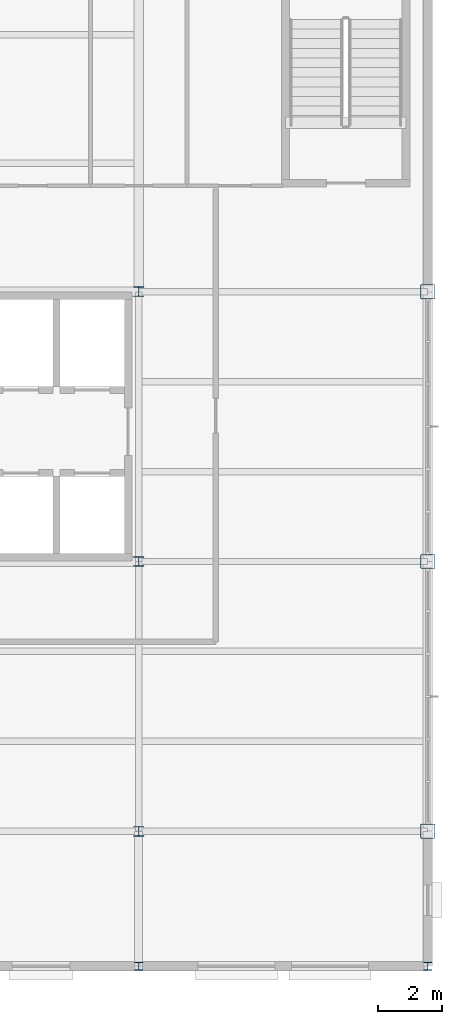
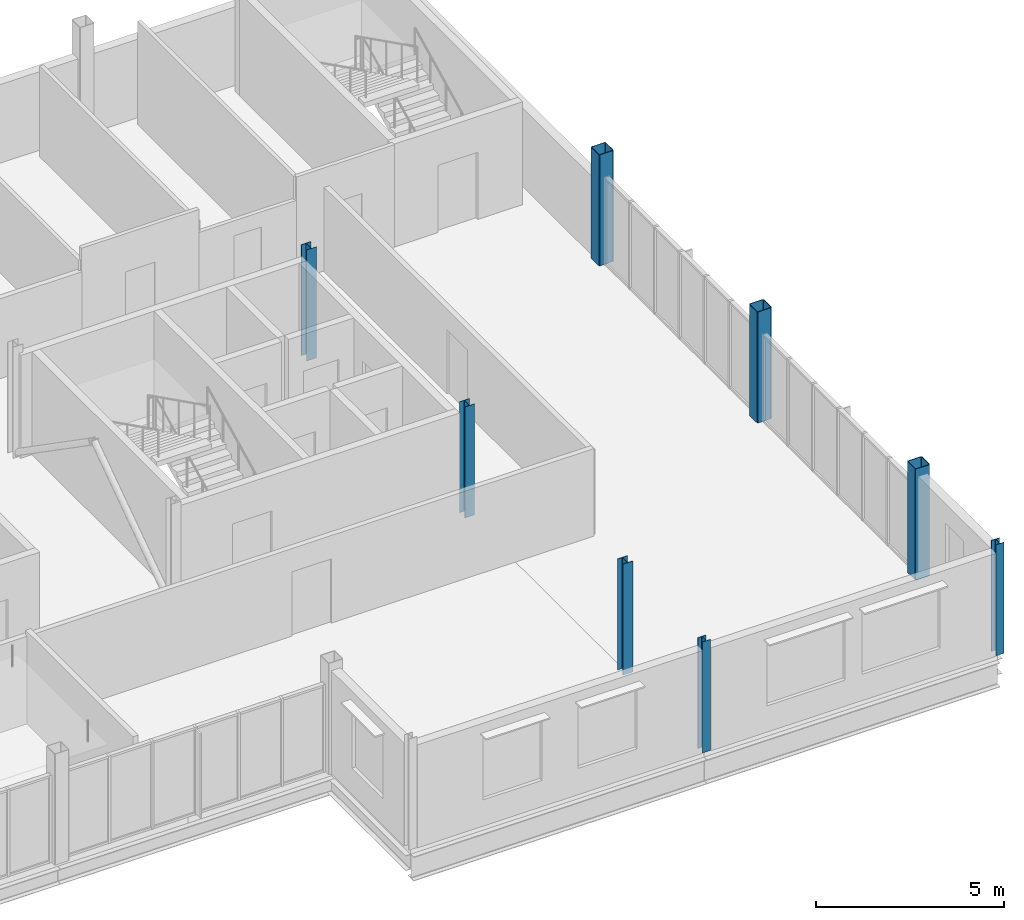
# One storey, part 2 of 19: 8 columns.
"""IFC4 building model written with IfcOpenShell, lengths in metres."""

from ifc_helpers import new_model, si_unit, direction, frame, origin, origin_2d, place, context, subcontext, project, spatial, hollow_rectangle, i_section, extrude, material, material_profile, profile_set, type_object, element, save


model = new_model("IFC4")

# Units and contexts
model_context = context("Model", 3, precision=1e-05, world=origin(), true_north=direction((0.0, 1.0)))
body_context = subcontext(model_context, "Body", "Model", "MODEL_VIEW")
ifc_project = project(units=[si_unit("LENGTHUNIT", "METRE"), si_unit("AREAUNIT", "SQUARE_METRE"), si_unit("VOLUMEUNIT", "CUBIC_METRE"), si_unit("PLANEANGLEUNIT", "RADIAN"), si_unit("MASSUNIT", "GRAM", prefix="KILO")], contexts=[model_context])

# Site, building, storey
site_placement = place(None, origin())
site = spatial("IfcSite", under=ifc_project, at=site_placement, CompositionType="ELEMENT")
building_placement = place(site_placement, origin())
building = spatial("IfcBuilding", under=site, at=building_placement, Name="Yukiwa Park Conservatory and Herbarium", CompositionType="ELEMENT")
storey_placement = place(building_placement, frame((0.0, 0.0, 46.800048828125)))
storey = spatial("IfcBuildingStorey", under=building, at=storey_placement, Name="L12", CompositionType="ELEMENT", Elevation=46.800048828125)

# Columns
ifc_material_1 = material(Name="Steel Q355D", Category="steel")
ifc_material_profile_1 = material_profile(ifc_material_1, i_section(OverallWidth=0.25, OverallDepth=0.25, WebThickness=0.009033203125, FlangeThickness=0.013916015625, FilletRadius=0.01611328125, at=origin_2d()), Name="HW 250x250x9x14")
ifc_profile_set_1 = profile_set([ifc_material_profile_1], Name="Steel Q355D")
column_type_1 = type_object("IfcColumnType", Name="COL-SB-HW250", PredefinedType="COLUMN", material=ifc_profile_set_1)
for number, where, z_axis, x_axis, name in (
    (1, (159.0, 82.199951171875, 0.0), (0.0, 0.0, 1.0), (1.0, 0.0, 0.0), "L12 column V5SB2-X1590-Y822"),
    (2, (168.0, 82.199951171875, 0.0), (0.0, 0.0, 1.0), (1.0, 0.0, 0.0), "L12 column V5SB2-X1680-Y822"),
):
    element("IfcColumn", number, at=place(storey_placement, frame(where, z_axis=z_axis, x_axis=x_axis)), inside=storey, type_object=column_type_1, Name=name, PredefinedType="COLUMN", context=body_context, shape_type="SweptSolid", body=[
        extrude(i_section(OverallWidth=0.25, OverallDepth=0.25, WebThickness=0.009033203125, FlangeThickness=0.013916015625, FilletRadius=0.01611328125, at=origin_2d()), origin(), (0.0, 0.0, 1.0), 3.599853515625),
    ])
ifc_material_2 = material(Name="Steel Q355D", Category="steel")
ifc_material_profile_2 = material_profile(ifc_material_2, hollow_rectangle(XDim=0.449951171875, YDim=0.449951171875, WallThickness=0.01806640625, InnerFilletRadius=0.01806640625, OuterFilletRadius=0.035888671875, at=origin_2d()), Name="BOX 450x450x18")
ifc_profile_set_2 = profile_set([ifc_material_profile_2], Name="Steel Q355D")
column_type_2 = type_object("IfcColumnType", Name="COL-TW-BOX450-EXT", PredefinedType="COLUMN", material=ifc_profile_set_2)
for number, where, z_axis, x_axis, name in (
    (3, (168.0, 86.39990234375, 0.0), (0.0, 0.0, 1.0), (1.0, 0.0, 0.0), "L12 column V5-X1680-Y864"),
    (4, (168.0, 94.800048828125, 0.0), (0.0, 0.0, 1.0), (1.0, 0.0, 0.0), "L12 column V5-X1680-Y948"),
    (5, (168.0, 103.199951171875, 0.0), (0.0, 0.0, 1.0), (1.0, 0.0, 0.0), "L12 column V5-X1680-Y1032"),
):
    element("IfcColumn", number, at=place(storey_placement, frame(where, z_axis=z_axis, x_axis=x_axis)), inside=storey, type_object=column_type_2, Name=name, PredefinedType="COLUMN", context=body_context, shape_type="SweptSolid", body=[
        extrude(hollow_rectangle(XDim=0.449951171875, YDim=0.449951171875, WallThickness=0.01806640625, InnerFilletRadius=0.01806640625, OuterFilletRadius=0.035888671875, at=origin_2d()), origin(), (0.0, 0.0, 1.0), 3.599853515625),
    ])
ifc_material_3 = material(Name="Steel Q355D", Category="steel")
ifc_material_profile_3 = material_profile(ifc_material_3, i_section(OverallWidth=0.302001953125, OverallDepth=0.2939453125, WebThickness=0.011962890625, FlangeThickness=0.011962890625, FilletRadius=0.01806640625, at=origin_2d()), Name="HW 294x302x12x12")
ifc_profile_set_3 = profile_set([ifc_material_profile_3], Name="Steel Q355D")
column_type_3 = type_object("IfcColumnType", Name="COL-TW-HW294", PredefinedType="COLUMN", material=ifc_profile_set_3)
for number, where, z_axis, x_axis, name in (
    (6, (159.0, 86.39990234375, 0.0), (0.0, 0.0, 1.0), (1.0, 0.0, 0.0), "L12 column V5-X1590-Y864"),
    (7, (159.0, 94.800048828125, 0.0), (0.0, 0.0, 1.0), (1.0, 0.0, 0.0), "L12 column V5-X1590-Y948"),
    (8, (159.0, 103.199951171875, 0.0), (0.0, 0.0, 1.0), (1.0, 0.0, 0.0), "L12 column V5-X1590-Y1032"),
):
    element("IfcColumn", number, at=place(storey_placement, frame(where, z_axis=z_axis, x_axis=x_axis)), inside=storey, type_object=column_type_3, Name=name, PredefinedType="COLUMN", context=body_context, shape_type="SweptSolid", body=[
        extrude(i_section(OverallWidth=0.302001953125, OverallDepth=0.2939453125, WebThickness=0.011962890625, FlangeThickness=0.011962890625, FilletRadius=0.01806640625, at=origin_2d()), origin(), (0.0, 0.0, 1.0), 3.599853515625),
    ])

save(model, "model.ifc")
